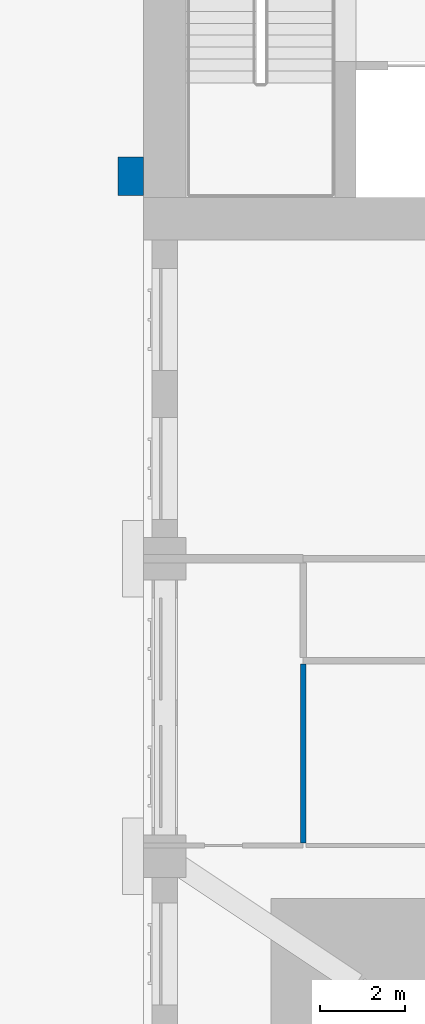
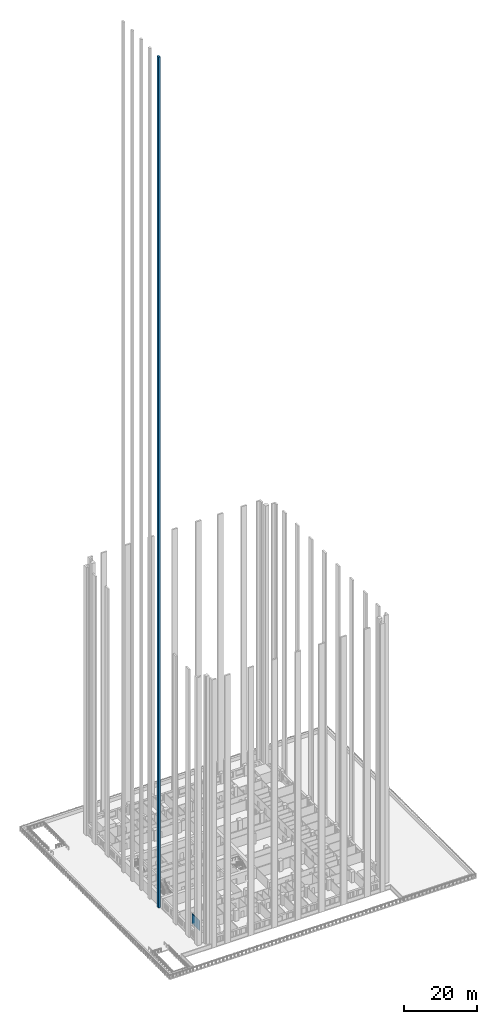
# One storey, part 5 of 27: 2 walls.
"""IFC4 building model written with IfcOpenShell, lengths in metres."""

from ifc_helpers import new_model, si_unit, direction, frame, frame_2d, origin, place, context, subcontext, project, spatial, rectangle, extrude, material, layer, layer_set, type_object, element, save


model = new_model("IFC4")

# Units and contexts
model_context = context("Model", 3, precision=1e-05, world=origin(), true_north=direction((0.0, 1.0)))
body_context = subcontext(model_context, "Body", "Model", "MODEL_VIEW")
ifc_project = project(units=[si_unit("LENGTHUNIT", "METRE"), si_unit("AREAUNIT", "SQUARE_METRE"), si_unit("VOLUMEUNIT", "CUBIC_METRE"), si_unit("PLANEANGLEUNIT", "RADIAN"), si_unit("MASSUNIT", "GRAM", prefix="KILO")], contexts=[model_context])

# Site, building, storey
site_placement = place(None, origin())
site = spatial("IfcSite", under=ifc_project, at=site_placement, CompositionType="ELEMENT")
building_placement = place(site_placement, origin())
building = spatial("IfcBuilding", under=site, at=building_placement, Name="Tamorin Gate", CompositionType="ELEMENT")
storey_placement = place(building_placement, frame((0.0, 0.0, 34.0)))
storey = spatial("IfcBuildingStorey", under=building, at=storey_placement, Name="L06", CompositionType="ELEMENT", Elevation=34.0)

# Walls
ifc_material_1 = material(Name="Precast concrete C40/50", Category="concrete")
ifc_layer_1 = layer(ifc_material_1, 0.60009765625)
ifc_layer_set_1 = layer_set([ifc_layer_1], Name="Spine rib 900x600")
wall_type_1 = type_object("IfcWallType", Name="Spine rib 900x600", PredefinedType="SOLIDWALL", material=ifc_layer_set_1)
wall_1_placement = place(storey_placement, frame((29.699951171875, 61.050048828125, 0.0), z_axis=(0.0, 0.0, 1.0), x_axis=(0.0, 1.0, 0.0)))
element("IfcWall", 1, at=wall_1_placement, inside=storey, type_object=wall_type_1, Name="Spine rib", PredefinedType="SOLIDWALL", context=body_context, shape_type="SweptSolid", body=[
    extrude(rectangle(XDim=0.89990234375, YDim=0.60009765625, at=frame_2d((0.449951171875, 0.0))), origin(), (0.0, 0.0, 1.0), 286.199951171875),
])
ifc_material_2 = material(Name="Gypsum board partition")
ifc_layer_2 = layer(ifc_material_2, 0.125)
ifc_layer_set_2 = layer_set([ifc_layer_2], Name="Wet wall 125")
wall_type_2 = type_object("IfcWallType", Name="Wet wall 125", PredefinedType="PARTITIONING", material=ifc_layer_set_2)
wall_2_placement = place(storey_placement, frame((33.75, 45.8125, 0.0), z_axis=(0.0, 0.0, 1.0), x_axis=(0.0, 1.0, 0.0)))
element("IfcWall", 2, at=wall_2_placement, inside=storey, type_object=wall_type_2, Name="Wet wall 125", PredefinedType="PARTITIONING", context=body_context, shape_type="SweptSolid", body=[
    extrude(rectangle(XDim=4.21240234375, YDim=0.125, at=frame_2d((2.106201171875, 0.0))), origin(), (0.0, 0.0, 1.0), 3.35009765625),
])

save(model, "model.ifc")
